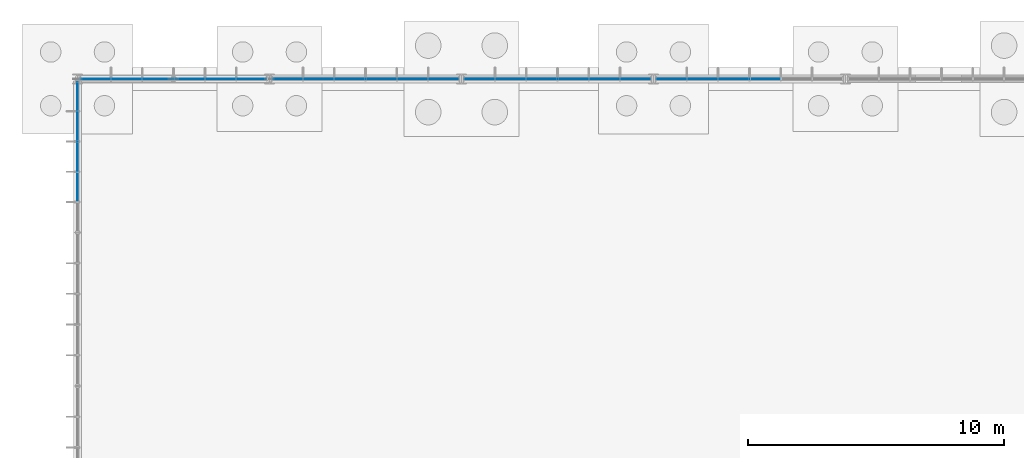
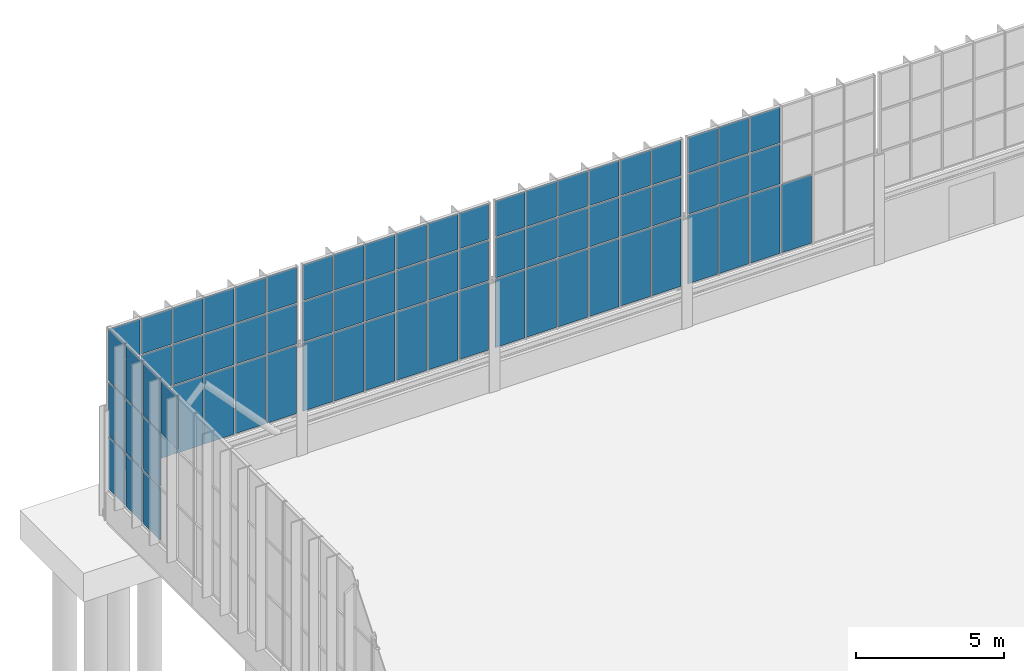
# One storey, part 88 of 136: 74 plates, 5 elements without a shape of their own.
"""IFC4 building model written with IfcOpenShell, lengths in metres."""

from ifc_helpers import new_model, si_unit, direction, frame, origin, origin_2d, place, context, subcontext, project, spatial, rectangle, extrude, material, layer, layer_set, type_object, element, aggregate, save


model = new_model("IFC4")

# Units and contexts
model_context = context("Model", 3, precision=1e-05, world=origin(), true_north=direction((0.0, 1.0)))
body_context = subcontext(model_context, "Body", "Model", "MODEL_VIEW")
ifc_project = project(units=[si_unit("LENGTHUNIT", "METRE"), si_unit("AREAUNIT", "SQUARE_METRE"), si_unit("VOLUMEUNIT", "CUBIC_METRE"), si_unit("PLANEANGLEUNIT", "RADIAN"), si_unit("MASSUNIT", "GRAM", prefix="KILO")], contexts=[model_context])

# Site, building, storey
site_placement = place(None, origin())
site = spatial("IfcSite", under=ifc_project, at=site_placement, CompositionType="ELEMENT")
building_placement = place(site_placement, origin())
building = spatial("IfcBuilding", under=site, at=building_placement, Name="Solvenia Promenade Tram Depot", CompositionType="ELEMENT")
storey_placement = place(building_placement, origin())
storey = spatial("IfcBuildingStorey", under=building, at=storey_placement, Name="L00", CompositionType="ELEMENT", Elevation=0.0)

# Curtain wall, plates
ifc_material_1 = material(Name="Anodized aluminium AW-6063 T6", Category="aluminium")
ifc_layer_1 = layer(ifc_material_1, 0.159912109375, Name="Anodized aluminium AW-6063 T6", Category="aluminium")
ifc_layer_set_1 = layer_set([ifc_layer_1], Name="Anodized aluminium AW-6063 T6")
curtain_wall_type = type_object("IfcCurtainWallType", Name="CW-Channel-1200", PredefinedType="NOTDEFINED", material=ifc_layer_set_1)
curtain_wall_1_placement = place(storey_placement, origin())
curtain_wall_1 = element("IfcCurtainWall", 1, at=curtain_wall_1_placement, inside=storey, type_object=curtain_wall_type, Name="North Translucent Channel-Glass Wall 01", PredefinedType="NOTDEFINED")
ifc_material_2 = material(Name="Low-iron translucent U-profile channel glass", Category="glass")
ifc_layer_2 = layer(ifc_material_2, 0.028076171875, Name="Low-iron translucent U-profile channel glass", Category="glass")
ifc_layer_set_2 = layer_set([ifc_layer_2], Name="Low-iron translucent U-profile channel glass")
plate_type = type_object("IfcPlateType", Name="CWP-Panel-1", PredefinedType="CURTAIN_PANEL", material=ifc_layer_set_2)
plate_1_placement = place(storey_placement, frame((0.70458984375, 126.0, 1.659912109375), z_axis=(0.0, 0.0, 1.0), x_axis=(1.0, 0.0, 0.0)))
plate_1 = element("IfcPlate", 2, at=plate_1_placement, type_object=plate_type, Name="CW-1 panel 1.1", PredefinedType="CURTAIN_PANEL", context=body_context, shape_type="SweptSolid", body=[
    extrude(rectangle(XDim=1.145263671875, YDim=0.028076171875, at=origin_2d()), origin(), (0.0, 0.0, 1.0), 2.81005859375),
])
plate_2_placement = place(storey_placement, frame((0.70458984375, 126.0, 4.5302734375), z_axis=(0.0, 0.0, 1.0), x_axis=(1.0, 0.0, 0.0)))
plate_2 = element("IfcPlate", 3, at=plate_2_placement, type_object=plate_type, Name="CW-1 panel 1.2", PredefinedType="CURTAIN_PANEL", context=body_context, shape_type="SweptSolid", body=[
    extrude(rectangle(XDim=1.145263671875, YDim=0.028076171875, at=origin_2d()), origin(), (0.0, 0.0, 1.0), 1.639892578125),
])
plate_3_placement = place(storey_placement, frame((0.70458984375, 126.0, 6.22998046875), z_axis=(0.0, 0.0, 1.0), x_axis=(1.0, 0.0, 0.0)))
plate_3 = element("IfcPlate", 4, at=plate_3_placement, type_object=plate_type, Name="CW-1 panel 1.3", PredefinedType="CURTAIN_PANEL", context=body_context, shape_type="SweptSolid", body=[
    extrude(rectangle(XDim=1.145263671875, YDim=0.028076171875, at=origin_2d()), origin(), (0.0, 0.0, 1.0), 1.4599609375),
])
plate_4_placement = place(storey_placement, frame((1.9150390625, 126.0, 1.659912109375), z_axis=(0.0, 0.0, 1.0), x_axis=(1.0, 0.0, 0.0)))
plate_4 = element("IfcPlate", 5, at=plate_4_placement, type_object=plate_type, Name="CW-1 panel 2.1", PredefinedType="CURTAIN_PANEL", context=body_context, shape_type="SweptSolid", body=[
    extrude(rectangle(XDim=1.17138671875, YDim=0.028076171875, at=origin_2d()), origin(), (0.0, 0.0, 1.0), 2.81005859375),
])
plate_5_placement = place(storey_placement, frame((1.9150390625, 126.0, 4.5302734375), z_axis=(0.0, 0.0, 1.0), x_axis=(1.0, 0.0, 0.0)))
plate_5 = element("IfcPlate", 6, at=plate_5_placement, type_object=plate_type, Name="CW-1 panel 2.2", PredefinedType="CURTAIN_PANEL", context=body_context, shape_type="SweptSolid", body=[
    extrude(rectangle(XDim=1.17138671875, YDim=0.028076171875, at=origin_2d()), origin(), (0.0, 0.0, 1.0), 1.639892578125),
])
plate_6_placement = place(storey_placement, frame((1.9150390625, 126.0, 6.22998046875), z_axis=(0.0, 0.0, 1.0), x_axis=(1.0, 0.0, 0.0)))
plate_6 = element("IfcPlate", 7, at=plate_6_placement, type_object=plate_type, Name="CW-1 panel 2.3", PredefinedType="CURTAIN_PANEL", context=body_context, shape_type="SweptSolid", body=[
    extrude(rectangle(XDim=1.17138671875, YDim=0.028076171875, at=origin_2d()), origin(), (0.0, 0.0, 1.0), 1.4599609375),
])
plate_7_placement = place(storey_placement, frame((3.138427734375, 126.0, 1.659912109375), z_axis=(0.0, 0.0, 1.0), x_axis=(1.0, 0.0, 0.0)))
plate_7 = element("IfcPlate", 8, at=plate_7_placement, type_object=plate_type, Name="CW-1 panel 3.1", PredefinedType="CURTAIN_PANEL", context=body_context, shape_type="SweptSolid", body=[
    extrude(rectangle(XDim=1.17138671875, YDim=0.028076171875, at=origin_2d()), origin(), (0.0, 0.0, 1.0), 2.81005859375),
])
plate_8_placement = place(storey_placement, frame((3.138427734375, 126.0, 4.5302734375), z_axis=(0.0, 0.0, 1.0), x_axis=(1.0, 0.0, 0.0)))
plate_8 = element("IfcPlate", 9, at=plate_8_placement, type_object=plate_type, Name="CW-1 panel 3.2", PredefinedType="CURTAIN_PANEL", context=body_context, shape_type="SweptSolid", body=[
    extrude(rectangle(XDim=1.17138671875, YDim=0.028076171875, at=origin_2d()), origin(), (0.0, 0.0, 1.0), 1.639892578125),
])
plate_9_placement = place(storey_placement, frame((3.138427734375, 126.0, 6.22998046875), z_axis=(0.0, 0.0, 1.0), x_axis=(1.0, 0.0, 0.0)))
plate_9 = element("IfcPlate", 10, at=plate_9_placement, type_object=plate_type, Name="CW-1 panel 3.3", PredefinedType="CURTAIN_PANEL", context=body_context, shape_type="SweptSolid", body=[
    extrude(rectangle(XDim=1.17138671875, YDim=0.028076171875, at=origin_2d()), origin(), (0.0, 0.0, 1.0), 1.4599609375),
])
plate_10_placement = place(storey_placement, frame((4.361572265625, 126.0, 1.659912109375), z_axis=(0.0, 0.0, 1.0), x_axis=(1.0, 0.0, 0.0)))
plate_10 = element("IfcPlate", 11, at=plate_10_placement, type_object=plate_type, Name="CW-1 panel 4.1", PredefinedType="CURTAIN_PANEL", context=body_context, shape_type="SweptSolid", body=[
    extrude(rectangle(XDim=1.17138671875, YDim=0.028076171875, at=origin_2d()), origin(), (0.0, 0.0, 1.0), 2.81005859375),
])
plate_11_placement = place(storey_placement, frame((4.361572265625, 126.0, 4.5302734375), z_axis=(0.0, 0.0, 1.0), x_axis=(1.0, 0.0, 0.0)))
plate_11 = element("IfcPlate", 12, at=plate_11_placement, type_object=plate_type, Name="CW-1 panel 4.2", PredefinedType="CURTAIN_PANEL", context=body_context, shape_type="SweptSolid", body=[
    extrude(rectangle(XDim=1.17138671875, YDim=0.028076171875, at=origin_2d()), origin(), (0.0, 0.0, 1.0), 1.639892578125),
])
plate_12_placement = place(storey_placement, frame((4.361572265625, 126.0, 6.22998046875), z_axis=(0.0, 0.0, 1.0), x_axis=(1.0, 0.0, 0.0)))
plate_12 = element("IfcPlate", 13, at=plate_12_placement, type_object=plate_type, Name="CW-1 panel 4.3", PredefinedType="CURTAIN_PANEL", context=body_context, shape_type="SweptSolid", body=[
    extrude(rectangle(XDim=1.17138671875, YDim=0.028076171875, at=origin_2d()), origin(), (0.0, 0.0, 1.0), 1.4599609375),
])
plate_13_placement = place(storey_placement, frame((5.5849609375, 126.0, 1.659912109375), z_axis=(0.0, 0.0, 1.0), x_axis=(1.0, 0.0, 0.0)))
plate_13 = element("IfcPlate", 14, at=plate_13_placement, type_object=plate_type, Name="CW-1 panel 5.1", PredefinedType="CURTAIN_PANEL", context=body_context, shape_type="SweptSolid", body=[
    extrude(rectangle(XDim=1.17138671875, YDim=0.028076171875, at=origin_2d()), origin(), (0.0, 0.0, 1.0), 2.81005859375),
])
plate_14_placement = place(storey_placement, frame((5.5849609375, 126.0, 4.5302734375), z_axis=(0.0, 0.0, 1.0), x_axis=(1.0, 0.0, 0.0)))
plate_14 = element("IfcPlate", 15, at=plate_14_placement, type_object=plate_type, Name="CW-1 panel 5.2", PredefinedType="CURTAIN_PANEL", context=body_context, shape_type="SweptSolid", body=[
    extrude(rectangle(XDim=1.17138671875, YDim=0.028076171875, at=origin_2d()), origin(), (0.0, 0.0, 1.0), 1.639892578125),
])
plate_15_placement = place(storey_placement, frame((5.5849609375, 126.0, 6.22998046875), z_axis=(0.0, 0.0, 1.0), x_axis=(1.0, 0.0, 0.0)))
plate_15 = element("IfcPlate", 16, at=plate_15_placement, type_object=plate_type, Name="CW-1 panel 5.3", PredefinedType="CURTAIN_PANEL", context=body_context, shape_type="SweptSolid", body=[
    extrude(rectangle(XDim=1.17138671875, YDim=0.028076171875, at=origin_2d()), origin(), (0.0, 0.0, 1.0), 1.4599609375),
])
plate_16_placement = place(storey_placement, frame((6.79541015625, 126.0, 1.659912109375), z_axis=(0.0, 0.0, 1.0), x_axis=(1.0, 0.0, 0.0)))
plate_16 = element("IfcPlate", 17, at=plate_16_placement, type_object=plate_type, Name="CW-1 panel 6.1", PredefinedType="CURTAIN_PANEL", context=body_context, shape_type="SweptSolid", body=[
    extrude(rectangle(XDim=1.145263671875, YDim=0.028076171875, at=origin_2d()), origin(), (0.0, 0.0, 1.0), 2.81005859375),
])
plate_17_placement = place(storey_placement, frame((6.79541015625, 126.0, 4.5302734375), z_axis=(0.0, 0.0, 1.0), x_axis=(1.0, 0.0, 0.0)))
plate_17 = element("IfcPlate", 18, at=plate_17_placement, type_object=plate_type, Name="CW-1 panel 6.2", PredefinedType="CURTAIN_PANEL", context=body_context, shape_type="SweptSolid", body=[
    extrude(rectangle(XDim=1.145263671875, YDim=0.028076171875, at=origin_2d()), origin(), (0.0, 0.0, 1.0), 1.639892578125),
])
plate_18_placement = place(storey_placement, frame((6.79541015625, 126.0, 6.22998046875), z_axis=(0.0, 0.0, 1.0), x_axis=(1.0, 0.0, 0.0)))
plate_18 = element("IfcPlate", 19, at=plate_18_placement, type_object=plate_type, Name="CW-1 panel 6.3", PredefinedType="CURTAIN_PANEL", context=body_context, shape_type="SweptSolid", body=[
    extrude(rectangle(XDim=1.145263671875, YDim=0.028076171875, at=origin_2d()), origin(), (0.0, 0.0, 1.0), 1.4599609375),
])
aggregate(curtain_wall_1, [plate_1, plate_2, plate_3, plate_4, plate_5, plate_6, plate_7, plate_8, plate_9, plate_10, plate_11, plate_12, plate_13, plate_14, plate_15, plate_16, plate_17, plate_18])

curtain_wall_2_placement = place(storey_placement, origin())
curtain_wall_2 = element("IfcCurtainWall", 20, at=curtain_wall_2_placement, inside=storey, type_object=curtain_wall_type, Name="North Translucent Channel-Glass Wall 02", PredefinedType="NOTDEFINED")
plate_19_placement = place(storey_placement, frame((8.20458984375, 126.0, 1.659912109375), z_axis=(0.0, 0.0, 1.0), x_axis=(1.0, 0.0, 0.0)))
plate_19 = element("IfcPlate", 21, at=plate_19_placement, type_object=plate_type, Name="CW-1 panel 1.1", PredefinedType="CURTAIN_PANEL", context=body_context, shape_type="SweptSolid", body=[
    extrude(rectangle(XDim=1.145263671875, YDim=0.028076171875, at=origin_2d()), origin(), (0.0, 0.0, 1.0), 2.81005859375),
])
plate_20_placement = place(storey_placement, frame((8.20458984375, 126.0, 4.5302734375), z_axis=(0.0, 0.0, 1.0), x_axis=(1.0, 0.0, 0.0)))
plate_20 = element("IfcPlate", 22, at=plate_20_placement, type_object=plate_type, Name="CW-1 panel 1.2", PredefinedType="CURTAIN_PANEL", context=body_context, shape_type="SweptSolid", body=[
    extrude(rectangle(XDim=1.145263671875, YDim=0.028076171875, at=origin_2d()), origin(), (0.0, 0.0, 1.0), 1.639892578125),
])
plate_21_placement = place(storey_placement, frame((8.20458984375, 126.0, 6.22998046875), z_axis=(0.0, 0.0, 1.0), x_axis=(1.0, 0.0, 0.0)))
plate_21 = element("IfcPlate", 23, at=plate_21_placement, type_object=plate_type, Name="CW-1 panel 1.3", PredefinedType="CURTAIN_PANEL", context=body_context, shape_type="SweptSolid", body=[
    extrude(rectangle(XDim=1.145263671875, YDim=0.028076171875, at=origin_2d()), origin(), (0.0, 0.0, 1.0), 1.4599609375),
])
plate_22_placement = place(storey_placement, frame((9.4150390625, 126.0, 1.659912109375), z_axis=(0.0, 0.0, 1.0), x_axis=(1.0, 0.0, 0.0)))
plate_22 = element("IfcPlate", 24, at=plate_22_placement, type_object=plate_type, Name="CW-1 panel 2.1", PredefinedType="CURTAIN_PANEL", context=body_context, shape_type="SweptSolid", body=[
    extrude(rectangle(XDim=1.17138671875, YDim=0.028076171875, at=origin_2d()), origin(), (0.0, 0.0, 1.0), 2.81005859375),
])
plate_23_placement = place(storey_placement, frame((9.4150390625, 126.0, 4.5302734375), z_axis=(0.0, 0.0, 1.0), x_axis=(1.0, 0.0, 0.0)))
plate_23 = element("IfcPlate", 25, at=plate_23_placement, type_object=plate_type, Name="CW-1 panel 2.2", PredefinedType="CURTAIN_PANEL", context=body_context, shape_type="SweptSolid", body=[
    extrude(rectangle(XDim=1.17138671875, YDim=0.028076171875, at=origin_2d()), origin(), (0.0, 0.0, 1.0), 1.639892578125),
])
plate_24_placement = place(storey_placement, frame((9.4150390625, 126.0, 6.22998046875), z_axis=(0.0, 0.0, 1.0), x_axis=(1.0, 0.0, 0.0)))
plate_24 = element("IfcPlate", 26, at=plate_24_placement, type_object=plate_type, Name="CW-1 panel 2.3", PredefinedType="CURTAIN_PANEL", context=body_context, shape_type="SweptSolid", body=[
    extrude(rectangle(XDim=1.17138671875, YDim=0.028076171875, at=origin_2d()), origin(), (0.0, 0.0, 1.0), 1.4599609375),
])
plate_25_placement = place(storey_placement, frame((10.638427734375, 126.0, 1.659912109375), z_axis=(0.0, 0.0, 1.0), x_axis=(1.0, 0.0, 0.0)))
plate_25 = element("IfcPlate", 27, at=plate_25_placement, type_object=plate_type, Name="CW-1 panel 3.1", PredefinedType="CURTAIN_PANEL", context=body_context, shape_type="SweptSolid", body=[
    extrude(rectangle(XDim=1.17138671875, YDim=0.028076171875, at=origin_2d()), origin(), (0.0, 0.0, 1.0), 2.81005859375),
])
plate_26_placement = place(storey_placement, frame((10.638427734375, 126.0, 4.5302734375), z_axis=(0.0, 0.0, 1.0), x_axis=(1.0, 0.0, 0.0)))
plate_26 = element("IfcPlate", 28, at=plate_26_placement, type_object=plate_type, Name="CW-1 panel 3.2", PredefinedType="CURTAIN_PANEL", context=body_context, shape_type="SweptSolid", body=[
    extrude(rectangle(XDim=1.17138671875, YDim=0.028076171875, at=origin_2d()), origin(), (0.0, 0.0, 1.0), 1.639892578125),
])
plate_27_placement = place(storey_placement, frame((10.638427734375, 126.0, 6.22998046875), z_axis=(0.0, 0.0, 1.0), x_axis=(1.0, 0.0, 0.0)))
plate_27 = element("IfcPlate", 29, at=plate_27_placement, type_object=plate_type, Name="CW-1 panel 3.3", PredefinedType="CURTAIN_PANEL", context=body_context, shape_type="SweptSolid", body=[
    extrude(rectangle(XDim=1.17138671875, YDim=0.028076171875, at=origin_2d()), origin(), (0.0, 0.0, 1.0), 1.4599609375),
])
plate_28_placement = place(storey_placement, frame((11.861572265625, 126.0, 1.659912109375), z_axis=(0.0, 0.0, 1.0), x_axis=(1.0, 0.0, 0.0)))
plate_28 = element("IfcPlate", 30, at=plate_28_placement, type_object=plate_type, Name="CW-1 panel 4.1", PredefinedType="CURTAIN_PANEL", context=body_context, shape_type="SweptSolid", body=[
    extrude(rectangle(XDim=1.17138671875, YDim=0.028076171875, at=origin_2d()), origin(), (0.0, 0.0, 1.0), 2.81005859375),
])
plate_29_placement = place(storey_placement, frame((11.861572265625, 126.0, 4.5302734375), z_axis=(0.0, 0.0, 1.0), x_axis=(1.0, 0.0, 0.0)))
plate_29 = element("IfcPlate", 31, at=plate_29_placement, type_object=plate_type, Name="CW-1 panel 4.2", PredefinedType="CURTAIN_PANEL", context=body_context, shape_type="SweptSolid", body=[
    extrude(rectangle(XDim=1.17138671875, YDim=0.028076171875, at=origin_2d()), origin(), (0.0, 0.0, 1.0), 1.639892578125),
])
plate_30_placement = place(storey_placement, frame((11.861572265625, 126.0, 6.22998046875), z_axis=(0.0, 0.0, 1.0), x_axis=(1.0, 0.0, 0.0)))
plate_30 = element("IfcPlate", 32, at=plate_30_placement, type_object=plate_type, Name="CW-1 panel 4.3", PredefinedType="CURTAIN_PANEL", context=body_context, shape_type="SweptSolid", body=[
    extrude(rectangle(XDim=1.17138671875, YDim=0.028076171875, at=origin_2d()), origin(), (0.0, 0.0, 1.0), 1.4599609375),
])
plate_31_placement = place(storey_placement, frame((13.0849609375, 126.0, 1.659912109375), z_axis=(0.0, 0.0, 1.0), x_axis=(1.0, 0.0, 0.0)))
plate_31 = element("IfcPlate", 33, at=plate_31_placement, type_object=plate_type, Name="CW-1 panel 5.1", PredefinedType="CURTAIN_PANEL", context=body_context, shape_type="SweptSolid", body=[
    extrude(rectangle(XDim=1.17138671875, YDim=0.028076171875, at=origin_2d()), origin(), (0.0, 0.0, 1.0), 2.81005859375),
])
plate_32_placement = place(storey_placement, frame((13.0849609375, 126.0, 4.5302734375), z_axis=(0.0, 0.0, 1.0), x_axis=(1.0, 0.0, 0.0)))
plate_32 = element("IfcPlate", 34, at=plate_32_placement, type_object=plate_type, Name="CW-1 panel 5.2", PredefinedType="CURTAIN_PANEL", context=body_context, shape_type="SweptSolid", body=[
    extrude(rectangle(XDim=1.17138671875, YDim=0.028076171875, at=origin_2d()), origin(), (0.0, 0.0, 1.0), 1.639892578125),
])
plate_33_placement = place(storey_placement, frame((13.0849609375, 126.0, 6.22998046875), z_axis=(0.0, 0.0, 1.0), x_axis=(1.0, 0.0, 0.0)))
plate_33 = element("IfcPlate", 35, at=plate_33_placement, type_object=plate_type, Name="CW-1 panel 5.3", PredefinedType="CURTAIN_PANEL", context=body_context, shape_type="SweptSolid", body=[
    extrude(rectangle(XDim=1.17138671875, YDim=0.028076171875, at=origin_2d()), origin(), (0.0, 0.0, 1.0), 1.4599609375),
])
plate_34_placement = place(storey_placement, frame((14.29541015625, 126.0, 1.659912109375), z_axis=(0.0, 0.0, 1.0), x_axis=(1.0, 0.0, 0.0)))
plate_34 = element("IfcPlate", 36, at=plate_34_placement, type_object=plate_type, Name="CW-1 panel 6.1", PredefinedType="CURTAIN_PANEL", context=body_context, shape_type="SweptSolid", body=[
    extrude(rectangle(XDim=1.145263671875, YDim=0.028076171875, at=origin_2d()), origin(), (0.0, 0.0, 1.0), 2.81005859375),
])
plate_35_placement = place(storey_placement, frame((14.29541015625, 126.0, 4.5302734375), z_axis=(0.0, 0.0, 1.0), x_axis=(1.0, 0.0, 0.0)))
plate_35 = element("IfcPlate", 37, at=plate_35_placement, type_object=plate_type, Name="CW-1 panel 6.2", PredefinedType="CURTAIN_PANEL", context=body_context, shape_type="SweptSolid", body=[
    extrude(rectangle(XDim=1.145263671875, YDim=0.028076171875, at=origin_2d()), origin(), (0.0, 0.0, 1.0), 1.639892578125),
])
plate_36_placement = place(storey_placement, frame((14.29541015625, 126.0, 6.22998046875), z_axis=(0.0, 0.0, 1.0), x_axis=(1.0, 0.0, 0.0)))
plate_36 = element("IfcPlate", 38, at=plate_36_placement, type_object=plate_type, Name="CW-1 panel 6.3", PredefinedType="CURTAIN_PANEL", context=body_context, shape_type="SweptSolid", body=[
    extrude(rectangle(XDim=1.145263671875, YDim=0.028076171875, at=origin_2d()), origin(), (0.0, 0.0, 1.0), 1.4599609375),
])
aggregate(curtain_wall_2, [plate_19, plate_20, plate_21, plate_22, plate_23, plate_24, plate_25, plate_26, plate_27, plate_28, plate_29, plate_30, plate_31, plate_32, plate_33, plate_34, plate_35, plate_36])

curtain_wall_3_placement = place(storey_placement, origin())
curtain_wall_3 = element("IfcCurtainWall", 39, at=curtain_wall_3_placement, inside=storey, type_object=curtain_wall_type, Name="North Translucent Channel-Glass Wall 03", PredefinedType="NOTDEFINED")
plate_37_placement = place(storey_placement, frame((15.70458984375, 126.0, 1.659912109375), z_axis=(0.0, 0.0, 1.0), x_axis=(1.0, 0.0, 0.0)))
plate_37 = element("IfcPlate", 40, at=plate_37_placement, type_object=plate_type, Name="CW-1 panel 1.1", PredefinedType="CURTAIN_PANEL", context=body_context, shape_type="SweptSolid", body=[
    extrude(rectangle(XDim=1.145263671875, YDim=0.028076171875, at=origin_2d()), origin(), (0.0, 0.0, 1.0), 2.81005859375),
])
plate_38_placement = place(storey_placement, frame((15.70458984375, 126.0, 4.5302734375), z_axis=(0.0, 0.0, 1.0), x_axis=(1.0, 0.0, 0.0)))
plate_38 = element("IfcPlate", 41, at=plate_38_placement, type_object=plate_type, Name="CW-1 panel 1.2", PredefinedType="CURTAIN_PANEL", context=body_context, shape_type="SweptSolid", body=[
    extrude(rectangle(XDim=1.145263671875, YDim=0.028076171875, at=origin_2d()), origin(), (0.0, 0.0, 1.0), 1.639892578125),
])
plate_39_placement = place(storey_placement, frame((15.70458984375, 126.0, 6.22998046875), z_axis=(0.0, 0.0, 1.0), x_axis=(1.0, 0.0, 0.0)))
plate_39 = element("IfcPlate", 42, at=plate_39_placement, type_object=plate_type, Name="CW-1 panel 1.3", PredefinedType="CURTAIN_PANEL", context=body_context, shape_type="SweptSolid", body=[
    extrude(rectangle(XDim=1.145263671875, YDim=0.028076171875, at=origin_2d()), origin(), (0.0, 0.0, 1.0), 1.4599609375),
])
plate_40_placement = place(storey_placement, frame((16.9150390625, 126.0, 1.659912109375), z_axis=(0.0, 0.0, 1.0), x_axis=(1.0, 0.0, 0.0)))
plate_40 = element("IfcPlate", 43, at=plate_40_placement, type_object=plate_type, Name="CW-1 panel 2.1", PredefinedType="CURTAIN_PANEL", context=body_context, shape_type="SweptSolid", body=[
    extrude(rectangle(XDim=1.17138671875, YDim=0.028076171875, at=origin_2d()), origin(), (0.0, 0.0, 1.0), 2.81005859375),
])
plate_41_placement = place(storey_placement, frame((16.9150390625, 126.0, 4.5302734375), z_axis=(0.0, 0.0, 1.0), x_axis=(1.0, 0.0, 0.0)))
plate_41 = element("IfcPlate", 44, at=plate_41_placement, type_object=plate_type, Name="CW-1 panel 2.2", PredefinedType="CURTAIN_PANEL", context=body_context, shape_type="SweptSolid", body=[
    extrude(rectangle(XDim=1.17138671875, YDim=0.028076171875, at=origin_2d()), origin(), (0.0, 0.0, 1.0), 1.639892578125),
])
plate_42_placement = place(storey_placement, frame((16.9150390625, 126.0, 6.22998046875), z_axis=(0.0, 0.0, 1.0), x_axis=(1.0, 0.0, 0.0)))
plate_42 = element("IfcPlate", 45, at=plate_42_placement, type_object=plate_type, Name="CW-1 panel 2.3", PredefinedType="CURTAIN_PANEL", context=body_context, shape_type="SweptSolid", body=[
    extrude(rectangle(XDim=1.17138671875, YDim=0.028076171875, at=origin_2d()), origin(), (0.0, 0.0, 1.0), 1.4599609375),
])
plate_43_placement = place(storey_placement, frame((18.138427734375, 126.0, 1.659912109375), z_axis=(0.0, 0.0, 1.0), x_axis=(1.0, 0.0, 0.0)))
plate_43 = element("IfcPlate", 46, at=plate_43_placement, type_object=plate_type, Name="CW-1 panel 3.1", PredefinedType="CURTAIN_PANEL", context=body_context, shape_type="SweptSolid", body=[
    extrude(rectangle(XDim=1.17138671875, YDim=0.028076171875, at=origin_2d()), origin(), (0.0, 0.0, 1.0), 2.81005859375),
])
plate_44_placement = place(storey_placement, frame((18.138427734375, 126.0, 4.5302734375), z_axis=(0.0, 0.0, 1.0), x_axis=(1.0, 0.0, 0.0)))
plate_44 = element("IfcPlate", 47, at=plate_44_placement, type_object=plate_type, Name="CW-1 panel 3.2", PredefinedType="CURTAIN_PANEL", context=body_context, shape_type="SweptSolid", body=[
    extrude(rectangle(XDim=1.17138671875, YDim=0.028076171875, at=origin_2d()), origin(), (0.0, 0.0, 1.0), 1.639892578125),
])
plate_45_placement = place(storey_placement, frame((18.138427734375, 126.0, 6.22998046875), z_axis=(0.0, 0.0, 1.0), x_axis=(1.0, 0.0, 0.0)))
plate_45 = element("IfcPlate", 48, at=plate_45_placement, type_object=plate_type, Name="CW-1 panel 3.3", PredefinedType="CURTAIN_PANEL", context=body_context, shape_type="SweptSolid", body=[
    extrude(rectangle(XDim=1.17138671875, YDim=0.028076171875, at=origin_2d()), origin(), (0.0, 0.0, 1.0), 1.4599609375),
])
plate_46_placement = place(storey_placement, frame((19.361572265625, 126.0, 1.659912109375), z_axis=(0.0, 0.0, 1.0), x_axis=(1.0, 0.0, 0.0)))
plate_46 = element("IfcPlate", 49, at=plate_46_placement, type_object=plate_type, Name="CW-1 panel 4.1", PredefinedType="CURTAIN_PANEL", context=body_context, shape_type="SweptSolid", body=[
    extrude(rectangle(XDim=1.17138671875, YDim=0.028076171875, at=origin_2d()), origin(), (0.0, 0.0, 1.0), 2.81005859375),
])
plate_47_placement = place(storey_placement, frame((19.361572265625, 126.0, 4.5302734375), z_axis=(0.0, 0.0, 1.0), x_axis=(1.0, 0.0, 0.0)))
plate_47 = element("IfcPlate", 50, at=plate_47_placement, type_object=plate_type, Name="CW-1 panel 4.2", PredefinedType="CURTAIN_PANEL", context=body_context, shape_type="SweptSolid", body=[
    extrude(rectangle(XDim=1.17138671875, YDim=0.028076171875, at=origin_2d()), origin(), (0.0, 0.0, 1.0), 1.639892578125),
])
plate_48_placement = place(storey_placement, frame((19.361572265625, 126.0, 6.22998046875), z_axis=(0.0, 0.0, 1.0), x_axis=(1.0, 0.0, 0.0)))
plate_48 = element("IfcPlate", 51, at=plate_48_placement, type_object=plate_type, Name="CW-1 panel 4.3", PredefinedType="CURTAIN_PANEL", context=body_context, shape_type="SweptSolid", body=[
    extrude(rectangle(XDim=1.17138671875, YDim=0.028076171875, at=origin_2d()), origin(), (0.0, 0.0, 1.0), 1.4599609375),
])
plate_49_placement = place(storey_placement, frame((20.5849609375, 126.0, 1.659912109375), z_axis=(0.0, 0.0, 1.0), x_axis=(1.0, 0.0, 0.0)))
plate_49 = element("IfcPlate", 52, at=plate_49_placement, type_object=plate_type, Name="CW-1 panel 5.1", PredefinedType="CURTAIN_PANEL", context=body_context, shape_type="SweptSolid", body=[
    extrude(rectangle(XDim=1.17138671875, YDim=0.028076171875, at=origin_2d()), origin(), (0.0, 0.0, 1.0), 2.81005859375),
])
plate_50_placement = place(storey_placement, frame((20.5849609375, 126.0, 4.5302734375), z_axis=(0.0, 0.0, 1.0), x_axis=(1.0, 0.0, 0.0)))
plate_50 = element("IfcPlate", 53, at=plate_50_placement, type_object=plate_type, Name="CW-1 panel 5.2", PredefinedType="CURTAIN_PANEL", context=body_context, shape_type="SweptSolid", body=[
    extrude(rectangle(XDim=1.17138671875, YDim=0.028076171875, at=origin_2d()), origin(), (0.0, 0.0, 1.0), 1.639892578125),
])
plate_51_placement = place(storey_placement, frame((20.5849609375, 126.0, 6.22998046875), z_axis=(0.0, 0.0, 1.0), x_axis=(1.0, 0.0, 0.0)))
plate_51 = element("IfcPlate", 54, at=plate_51_placement, type_object=plate_type, Name="CW-1 panel 5.3", PredefinedType="CURTAIN_PANEL", context=body_context, shape_type="SweptSolid", body=[
    extrude(rectangle(XDim=1.17138671875, YDim=0.028076171875, at=origin_2d()), origin(), (0.0, 0.0, 1.0), 1.4599609375),
])
plate_52_placement = place(storey_placement, frame((21.79541015625, 126.0, 1.659912109375), z_axis=(0.0, 0.0, 1.0), x_axis=(1.0, 0.0, 0.0)))
plate_52 = element("IfcPlate", 55, at=plate_52_placement, type_object=plate_type, Name="CW-1 panel 6.1", PredefinedType="CURTAIN_PANEL", context=body_context, shape_type="SweptSolid", body=[
    extrude(rectangle(XDim=1.145263671875, YDim=0.028076171875, at=origin_2d()), origin(), (0.0, 0.0, 1.0), 2.81005859375),
])
plate_53_placement = place(storey_placement, frame((21.79541015625, 126.0, 4.5302734375), z_axis=(0.0, 0.0, 1.0), x_axis=(1.0, 0.0, 0.0)))
plate_53 = element("IfcPlate", 56, at=plate_53_placement, type_object=plate_type, Name="CW-1 panel 6.2", PredefinedType="CURTAIN_PANEL", context=body_context, shape_type="SweptSolid", body=[
    extrude(rectangle(XDim=1.145263671875, YDim=0.028076171875, at=origin_2d()), origin(), (0.0, 0.0, 1.0), 1.639892578125),
])
plate_54_placement = place(storey_placement, frame((21.79541015625, 126.0, 6.22998046875), z_axis=(0.0, 0.0, 1.0), x_axis=(1.0, 0.0, 0.0)))
plate_54 = element("IfcPlate", 57, at=plate_54_placement, type_object=plate_type, Name="CW-1 panel 6.3", PredefinedType="CURTAIN_PANEL", context=body_context, shape_type="SweptSolid", body=[
    extrude(rectangle(XDim=1.145263671875, YDim=0.028076171875, at=origin_2d()), origin(), (0.0, 0.0, 1.0), 1.4599609375),
])
aggregate(curtain_wall_3, [plate_37, plate_38, plate_39, plate_40, plate_41, plate_42, plate_43, plate_44, plate_45, plate_46, plate_47, plate_48, plate_49, plate_50, plate_51, plate_52, plate_53, plate_54])

curtain_wall_4_placement = place(storey_placement, origin())
curtain_wall_4 = element("IfcCurtainWall", 58, at=curtain_wall_4_placement, inside=storey, type_object=curtain_wall_type, Name="North Translucent Channel-Glass Wall 04", PredefinedType="NOTDEFINED")
plate_55_placement = place(storey_placement, frame((23.20458984375, 126.0, 1.659912109375), z_axis=(0.0, 0.0, 1.0), x_axis=(1.0, 0.0, 0.0)))
plate_55 = element("IfcPlate", 59, at=plate_55_placement, type_object=plate_type, Name="CW-1 panel 1.1", PredefinedType="CURTAIN_PANEL", context=body_context, shape_type="SweptSolid", body=[
    extrude(rectangle(XDim=1.145263671875, YDim=0.028076171875, at=origin_2d()), origin(), (0.0, 0.0, 1.0), 2.81005859375),
])
plate_56_placement = place(storey_placement, frame((23.20458984375, 126.0, 4.5302734375), z_axis=(0.0, 0.0, 1.0), x_axis=(1.0, 0.0, 0.0)))
plate_56 = element("IfcPlate", 60, at=plate_56_placement, type_object=plate_type, Name="CW-1 panel 1.2", PredefinedType="CURTAIN_PANEL", context=body_context, shape_type="SweptSolid", body=[
    extrude(rectangle(XDim=1.145263671875, YDim=0.028076171875, at=origin_2d()), origin(), (0.0, 0.0, 1.0), 1.639892578125),
])
plate_57_placement = place(storey_placement, frame((23.20458984375, 126.0, 6.22998046875), z_axis=(0.0, 0.0, 1.0), x_axis=(1.0, 0.0, 0.0)))
plate_57 = element("IfcPlate", 61, at=plate_57_placement, type_object=plate_type, Name="CW-1 panel 1.3", PredefinedType="CURTAIN_PANEL", context=body_context, shape_type="SweptSolid", body=[
    extrude(rectangle(XDim=1.145263671875, YDim=0.028076171875, at=origin_2d()), origin(), (0.0, 0.0, 1.0), 1.4599609375),
])
plate_58_placement = place(storey_placement, frame((24.4150390625, 126.0, 1.659912109375), z_axis=(0.0, 0.0, 1.0), x_axis=(1.0, 0.0, 0.0)))
plate_58 = element("IfcPlate", 62, at=plate_58_placement, type_object=plate_type, Name="CW-1 panel 2.1", PredefinedType="CURTAIN_PANEL", context=body_context, shape_type="SweptSolid", body=[
    extrude(rectangle(XDim=1.17138671875, YDim=0.028076171875, at=origin_2d()), origin(), (0.0, 0.0, 1.0), 2.81005859375),
])
plate_59_placement = place(storey_placement, frame((24.4150390625, 126.0, 4.5302734375), z_axis=(0.0, 0.0, 1.0), x_axis=(1.0, 0.0, 0.0)))
plate_59 = element("IfcPlate", 63, at=plate_59_placement, type_object=plate_type, Name="CW-1 panel 2.2", PredefinedType="CURTAIN_PANEL", context=body_context, shape_type="SweptSolid", body=[
    extrude(rectangle(XDim=1.17138671875, YDim=0.028076171875, at=origin_2d()), origin(), (0.0, 0.0, 1.0), 1.639892578125),
])
plate_60_placement = place(storey_placement, frame((24.4150390625, 126.0, 6.22998046875), z_axis=(0.0, 0.0, 1.0), x_axis=(1.0, 0.0, 0.0)))
plate_60 = element("IfcPlate", 64, at=plate_60_placement, type_object=plate_type, Name="CW-1 panel 2.3", PredefinedType="CURTAIN_PANEL", context=body_context, shape_type="SweptSolid", body=[
    extrude(rectangle(XDim=1.17138671875, YDim=0.028076171875, at=origin_2d()), origin(), (0.0, 0.0, 1.0), 1.4599609375),
])
plate_61_placement = place(storey_placement, frame((25.638427734375, 126.0, 1.659912109375), z_axis=(0.0, 0.0, 1.0), x_axis=(1.0, 0.0, 0.0)))
plate_61 = element("IfcPlate", 65, at=plate_61_placement, type_object=plate_type, Name="CW-1 panel 3.1", PredefinedType="CURTAIN_PANEL", context=body_context, shape_type="SweptSolid", body=[
    extrude(rectangle(XDim=1.17138671875, YDim=0.028076171875, at=origin_2d()), origin(), (0.0, 0.0, 1.0), 2.81005859375),
])
plate_62_placement = place(storey_placement, frame((25.638427734375, 126.0, 4.5302734375), z_axis=(0.0, 0.0, 1.0), x_axis=(1.0, 0.0, 0.0)))
plate_62 = element("IfcPlate", 66, at=plate_62_placement, type_object=plate_type, Name="CW-1 panel 3.2", PredefinedType="CURTAIN_PANEL", context=body_context, shape_type="SweptSolid", body=[
    extrude(rectangle(XDim=1.17138671875, YDim=0.028076171875, at=origin_2d()), origin(), (0.0, 0.0, 1.0), 1.639892578125),
])
plate_63_placement = place(storey_placement, frame((25.638427734375, 126.0, 6.22998046875), z_axis=(0.0, 0.0, 1.0), x_axis=(1.0, 0.0, 0.0)))
plate_63 = element("IfcPlate", 67, at=plate_63_placement, type_object=plate_type, Name="CW-1 panel 3.3", PredefinedType="CURTAIN_PANEL", context=body_context, shape_type="SweptSolid", body=[
    extrude(rectangle(XDim=1.17138671875, YDim=0.028076171875, at=origin_2d()), origin(), (0.0, 0.0, 1.0), 1.4599609375),
])
plate_64_placement = place(storey_placement, frame((26.861572265625, 126.0, 1.659912109375), z_axis=(0.0, 0.0, 1.0), x_axis=(1.0, 0.0, 0.0)))
plate_64 = element("IfcPlate", 68, at=plate_64_placement, type_object=plate_type, Name="CW-1 panel 4.1", PredefinedType="CURTAIN_PANEL", context=body_context, shape_type="SweptSolid", body=[
    extrude(rectangle(XDim=1.17138671875, YDim=0.028076171875, at=origin_2d()), origin(), (0.0, 0.0, 1.0), 2.81005859375),
])
aggregate(curtain_wall_4, [plate_55, plate_56, plate_57, plate_58, plate_59, plate_60, plate_61, plate_62, plate_63, plate_64])

curtain_wall_5_placement = place(storey_placement, origin())
curtain_wall_5 = element("IfcCurtainWall", 69, at=curtain_wall_5_placement, inside=storey, type_object=curtain_wall_type, Name="Curtain Wall CW-V1W-10", PredefinedType="NOTDEFINED")
plate_65_placement = place(storey_placement, frame((0.0, 121.77587890625, 5.68017578125), z_axis=(0.0, 0.0, 1.0), x_axis=(0.0, 1.0, 0.0)))
plate_65 = element("IfcPlate", 70, at=plate_65_placement, type_object=plate_type, Name="CW-1 panel 2.3", PredefinedType="CURTAIN_PANEL", context=body_context, shape_type="SweptSolid", body=[
    extrude(rectangle(XDim=1.132080078125, YDim=0.028076171875, at=origin_2d()), origin(), (0.0, 0.0, 1.0), 2.159912109375),
])
plate_66_placement = place(storey_placement, frame((0.0, 122.9599609375, 1.2099609375), z_axis=(0.0, 0.0, 1.0), x_axis=(0.0, 1.0, 0.0)))
plate_66 = element("IfcPlate", 71, at=plate_66_placement, type_object=plate_type, Name="CW-1 panel 3.1", PredefinedType="CURTAIN_PANEL", context=body_context, shape_type="SweptSolid", body=[
    extrude(rectangle(XDim=1.132080078125, YDim=0.028076171875, at=origin_2d()), origin(), (0.0, 0.0, 1.0), 2.159912109375),
])
plate_67_placement = place(storey_placement, frame((0.0, 122.9599609375, 3.429931640625), z_axis=(0.0, 0.0, 1.0), x_axis=(0.0, 1.0, 0.0)))
plate_67 = element("IfcPlate", 72, at=plate_67_placement, type_object=plate_type, Name="CW-1 panel 3.2", PredefinedType="CURTAIN_PANEL", context=body_context, shape_type="SweptSolid", body=[
    extrude(rectangle(XDim=1.132080078125, YDim=0.028076171875, at=origin_2d()), origin(), (0.0, 0.0, 1.0), 2.18994140625),
])
plate_68_placement = place(storey_placement, frame((0.0, 122.9599609375, 5.68017578125), z_axis=(0.0, 0.0, 1.0), x_axis=(0.0, 1.0, 0.0)))
plate_68 = element("IfcPlate", 73, at=plate_68_placement, type_object=plate_type, Name="CW-1 panel 3.3", PredefinedType="CURTAIN_PANEL", context=body_context, shape_type="SweptSolid", body=[
    extrude(rectangle(XDim=1.132080078125, YDim=0.028076171875, at=origin_2d()), origin(), (0.0, 0.0, 1.0), 2.159912109375),
])
plate_69_placement = place(storey_placement, frame((0.0, 124.14404296875, 1.2099609375), z_axis=(0.0, 0.0, 1.0), x_axis=(0.0, 1.0, 0.0)))
plate_69 = element("IfcPlate", 74, at=plate_69_placement, type_object=plate_type, Name="CW-1 panel 4.1", PredefinedType="CURTAIN_PANEL", context=body_context, shape_type="SweptSolid", body=[
    extrude(rectangle(XDim=1.132080078125, YDim=0.028076171875, at=origin_2d()), origin(), (0.0, 0.0, 1.0), 2.159912109375),
])
plate_70_placement = place(storey_placement, frame((0.0, 124.14404296875, 3.429931640625), z_axis=(0.0, 0.0, 1.0), x_axis=(0.0, 1.0, 0.0)))
plate_70 = element("IfcPlate", 75, at=plate_70_placement, type_object=plate_type, Name="CW-1 panel 4.2", PredefinedType="CURTAIN_PANEL", context=body_context, shape_type="SweptSolid", body=[
    extrude(rectangle(XDim=1.132080078125, YDim=0.028076171875, at=origin_2d()), origin(), (0.0, 0.0, 1.0), 2.18994140625),
])
plate_71_placement = place(storey_placement, frame((0.0, 124.14404296875, 5.68017578125), z_axis=(0.0, 0.0, 1.0), x_axis=(0.0, 1.0, 0.0)))
plate_71 = element("IfcPlate", 76, at=plate_71_placement, type_object=plate_type, Name="CW-1 panel 4.3", PredefinedType="CURTAIN_PANEL", context=body_context, shape_type="SweptSolid", body=[
    extrude(rectangle(XDim=1.132080078125, YDim=0.028076171875, at=origin_2d()), origin(), (0.0, 0.0, 1.0), 2.159912109375),
])
plate_72_placement = place(storey_placement, frame((0.0, 125.31494140625, 1.2099609375), z_axis=(0.0, 0.0, 1.0), x_axis=(0.0, 1.0, 0.0)))
plate_72 = element("IfcPlate", 77, at=plate_72_placement, type_object=plate_type, Name="CW-1 panel 5.1", PredefinedType="CURTAIN_PANEL", context=body_context, shape_type="SweptSolid", body=[
    extrude(rectangle(XDim=1.10595703125, YDim=0.028076171875, at=origin_2d()), origin(), (0.0, 0.0, 1.0), 2.159912109375),
])
plate_73_placement = place(storey_placement, frame((0.0, 125.31494140625, 3.429931640625), z_axis=(0.0, 0.0, 1.0), x_axis=(0.0, 1.0, 0.0)))
plate_73 = element("IfcPlate", 78, at=plate_73_placement, type_object=plate_type, Name="CW-1 panel 5.2", PredefinedType="CURTAIN_PANEL", context=body_context, shape_type="SweptSolid", body=[
    extrude(rectangle(XDim=1.10595703125, YDim=0.028076171875, at=origin_2d()), origin(), (0.0, 0.0, 1.0), 2.18994140625),
])
plate_74_placement = place(storey_placement, frame((0.0, 125.31494140625, 5.68017578125), z_axis=(0.0, 0.0, 1.0), x_axis=(0.0, 1.0, 0.0)))
plate_74 = element("IfcPlate", 79, at=plate_74_placement, type_object=plate_type, Name="CW-1 panel 5.3", PredefinedType="CURTAIN_PANEL", context=body_context, shape_type="SweptSolid", body=[
    extrude(rectangle(XDim=1.10595703125, YDim=0.028076171875, at=origin_2d()), origin(), (0.0, 0.0, 1.0), 2.159912109375),
])
aggregate(curtain_wall_5, [plate_65, plate_66, plate_67, plate_68, plate_69, plate_70, plate_71, plate_72, plate_73, plate_74])

save(model, "model.ifc")
